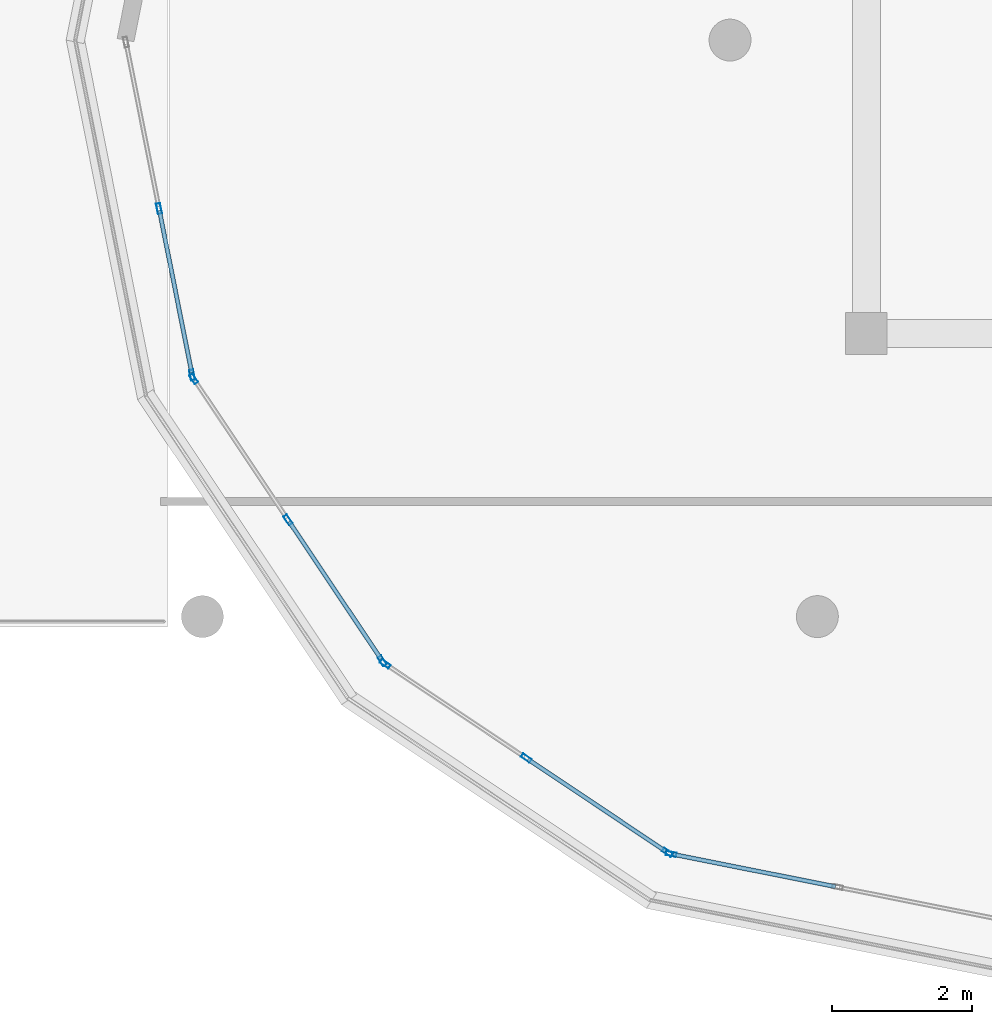
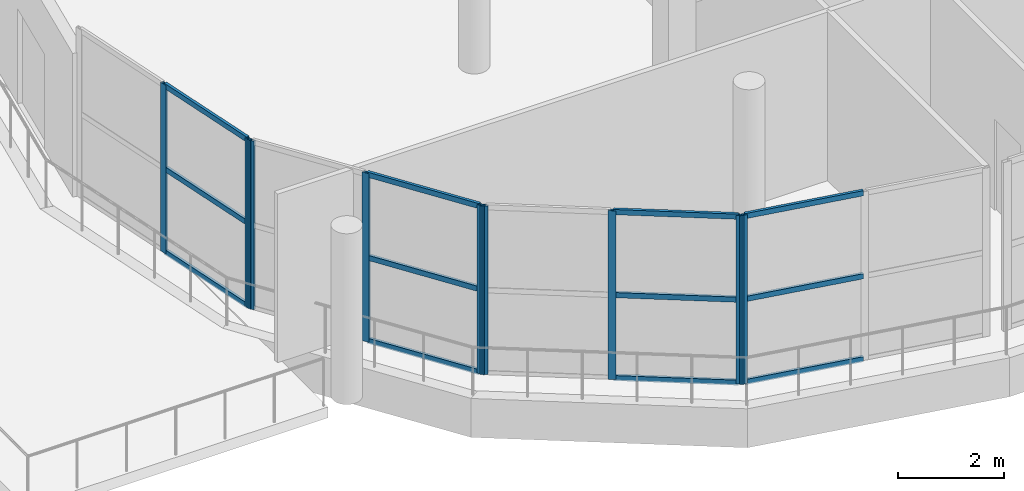
# One storey, part 2 of 50: 21 members, 4 elements without a shape of their own.
"""IFC4 building model written with IfcOpenShell, lengths in metres."""

from ifc_helpers import new_model, si_unit, direction, frame, origin, origin_2d, place, context, subcontext, project, spatial, hollow_rectangle, extrude, material, layer, layer_set, material_profile, profile_set, type_object, element, aggregate, save


model = new_model("IFC4")

# Units and contexts
model_context = context("Model", 3, precision=1e-05, world=origin(), true_north=direction((0.0, 1.0)))
body_context = subcontext(model_context, "Body", "Model", "MODEL_VIEW")
ifc_project = project(units=[si_unit("LENGTHUNIT", "METRE"), si_unit("AREAUNIT", "SQUARE_METRE"), si_unit("VOLUMEUNIT", "CUBIC_METRE"), si_unit("PLANEANGLEUNIT", "RADIAN"), si_unit("MASSUNIT", "GRAM", prefix="KILO")], contexts=[model_context])

# Site, building, storey
site_placement = place(None, origin())
site = spatial("IfcSite", under=ifc_project, at=site_placement, CompositionType="ELEMENT")
building_placement = place(site_placement, origin())
building = spatial("IfcBuilding", under=site, at=building_placement, Name="Zizhar Promenade General Hospital", CompositionType="ELEMENT")
storey_placement = place(building_placement, frame((0.0, 0.0, 30.60009765625)))
storey = spatial("IfcBuildingStorey", under=building, at=storey_placement, Name="L07", CompositionType="ELEMENT", Elevation=30.60009765625)

# Curtain wall, members
ifc_material_1 = material(Name="Anodised aluminium 6063-T6 and low-E glass", Category="aluminium")
ifc_layer = layer(ifc_material_1, 0.159912109375)
ifc_layer_set = layer_set([ifc_layer], Name="Anodised aluminium 6063-T6 and low-E glass")
curtain_wall_type = type_object("IfcCurtainWallType", Name="CW-WARD-ARC", PredefinedType="NOTDEFINED", material=ifc_layer_set)
curtain_wall_1_placement = place(storey_placement, origin())
curtain_wall_1 = element("IfcCurtainWall", 1, at=curtain_wall_1_placement, inside=storey, type_object=curtain_wall_type, Name="Ward Semicircular End Glazing L07-14", PredefinedType="NOTDEFINED")
ifc_material_2 = material(Name="Anodised aluminium 6063-T6", Category="aluminium")
ifc_material_profile_1 = material_profile(ifc_material_2, hollow_rectangle(XDim=0.06005859375, YDim=0.14990234375, WallThickness=0.00390625, at=origin_2d()))
ifc_profile_set_1 = profile_set([ifc_material_profile_1], Name="Anodised aluminium 6063-T6")
member_type_1 = type_object("IfcMemberType", Name="CWM-ALU-150x60", PredefinedType="MULLION", material=ifc_profile_set_1)
member_1_placement = place(storey_placement, frame((29.353271484375, 7.8076171875, 0.0), z_axis=(0.0, 0.0, 1.0), x_axis=(-0.980785889615, -0.195087259275, 0.0)))
member_1 = element("IfcMember", 2, at=member_1_placement, type_object=member_type_1, Name="CW-12 mullion 1", PredefinedType="MULLION", context=body_context, shape_type="SweptSolid", body=[
    extrude(hollow_rectangle(XDim=0.06005859375, YDim=0.14990234375, WallThickness=0.00390625, at=origin_2d()), origin(), (0.0, 0.0, 1.0), 3.89990234375),
])
member_2_placement = place(storey_placement, frame((28.879638671875, 10.189208984375, 0.0), z_axis=(0.0, 0.0, 1.0), x_axis=(-0.980785889615, -0.195087259275, 0.0)))
member_2 = element("IfcMember", 3, at=member_2_placement, type_object=member_type_1, Name="CW-12 mullion 2", PredefinedType="MULLION", context=body_context, shape_type="SweptSolid", body=[
    extrude(hollow_rectangle(XDim=0.06005859375, YDim=0.14990234375, WallThickness=0.00390625, at=origin_2d()), origin(), (0.0, 0.0, 1.0), 3.89990234375),
])

curtain_wall_2_placement = place(storey_placement, origin())
curtain_wall_2 = element("IfcCurtainWall", 4, at=curtain_wall_2_placement, inside=storey, type_object=curtain_wall_type, Name="Ward Semicircular End Glazing L07-15", PredefinedType="NOTDEFINED")
member_3_placement = place(storey_placement, frame((32.07373046875, 3.71533203125, 0.0), z_axis=(0.0, 0.0, 1.0), x_axis=(-0.831461514468, -0.555582352095, 0.0)))
member_3 = element("IfcMember", 5, at=member_3_placement, type_object=member_type_1, Name="CW-12 mullion 1", PredefinedType="MULLION", context=body_context, shape_type="SweptSolid", body=[
    extrude(hollow_rectangle(XDim=0.06005859375, YDim=0.14990234375, WallThickness=0.00390625, at=origin_2d()), origin(), (0.0, 0.0, 1.0), 3.89990234375),
])
member_4_placement = place(storey_placement, frame((30.724853515625, 5.734375, 0.0), z_axis=(0.0, 0.0, 1.0), x_axis=(-0.831461514468, -0.555582352095, 0.0)))
member_4 = element("IfcMember", 6, at=member_4_placement, type_object=member_type_1, Name="CW-12 mullion 2", PredefinedType="MULLION", context=body_context, shape_type="SweptSolid", body=[
    extrude(hollow_rectangle(XDim=0.06005859375, YDim=0.14990234375, WallThickness=0.00390625, at=origin_2d()), origin(), (0.0, 0.0, 1.0), 3.89990234375),
])
member_5_placement = place(storey_placement, frame((29.375732421875, 7.753173828125, 0.0), z_axis=(0.0, 0.0, 1.0), x_axis=(-0.831461514468, -0.555582352095, 0.0)))
member_5 = element("IfcMember", 7, at=member_5_placement, type_object=member_type_1, Name="CW-12 mullion 3", PredefinedType="MULLION", context=body_context, shape_type="SweptSolid", body=[
    extrude(hollow_rectangle(XDim=0.06005859375, YDim=0.14990234375, WallThickness=0.00390625, at=origin_2d()), origin(), (0.0, 0.0, 1.0), 3.89990234375),
])

curtain_wall_3_placement = place(storey_placement, origin())
curtain_wall_3 = element("IfcCurtainWall", 8, at=curtain_wall_3_placement, inside=storey, type_object=curtain_wall_type, Name="Ward Semicircular End Glazing L07-16", PredefinedType="NOTDEFINED")
member_6_placement = place(storey_placement, frame((36.1533203125, 0.975830078125, 0.0), z_axis=(0.0, 0.0, 1.0), x_axis=(-0.555582352095, -0.831461514468, 0.0)))
member_6 = element("IfcMember", 9, at=member_6_placement, type_object=member_type_1, Name="CW-12 mullion 1", PredefinedType="MULLION", context=body_context, shape_type="SweptSolid", body=[
    extrude(hollow_rectangle(XDim=0.06005859375, YDim=0.14990234375, WallThickness=0.00390625, at=origin_2d()), origin(), (0.0, 0.0, 1.0), 3.89990234375),
])
member_7_placement = place(storey_placement, frame((34.13427734375, 2.32470703125, 0.0), z_axis=(0.0, 0.0, 1.0), x_axis=(-0.555582352095, -0.831461514468, 0.0)))
member_7 = element("IfcMember", 10, at=member_7_placement, type_object=member_type_1, Name="CW-12 mullion 2", PredefinedType="MULLION", context=body_context, shape_type="SweptSolid", body=[
    extrude(hollow_rectangle(XDim=0.06005859375, YDim=0.14990234375, WallThickness=0.00390625, at=origin_2d()), origin(), (0.0, 0.0, 1.0), 3.89990234375),
])
member_8_placement = place(storey_placement, frame((32.115478515625, 3.673828125, 0.0), z_axis=(0.0, 0.0, 1.0), x_axis=(-0.555582352095, -0.831461514468, 0.0)))
member_8 = element("IfcMember", 11, at=member_8_placement, type_object=member_type_1, Name="CW-12 mullion 3", PredefinedType="MULLION", context=body_context, shape_type="SweptSolid", body=[
    extrude(hollow_rectangle(XDim=0.06005859375, YDim=0.14990234375, WallThickness=0.00390625, at=origin_2d()), origin(), (0.0, 0.0, 1.0), 3.89990234375),
])

# Curtain wall, member
curtain_wall_4_placement = place(storey_placement, origin())
curtain_wall_4 = element("IfcCurtainWall", 12, at=curtain_wall_4_placement, inside=storey, type_object=curtain_wall_type, Name="Ward Semicircular End Glazing L07-17", PredefinedType="NOTDEFINED")
member_9_placement = place(storey_placement, frame((36.20751953125, 0.953369140625, 0.0), z_axis=(0.0, 0.0, 1.0), x_axis=(-0.195087259275, -0.980785889615, 0.0)))
member_9 = element("IfcMember", 13, at=member_9_placement, type_object=member_type_1, Name="CW-12 mullion 3", PredefinedType="MULLION", context=body_context, shape_type="SweptSolid", body=[
    extrude(hollow_rectangle(XDim=0.06005859375, YDim=0.14990234375, WallThickness=0.00390625, at=origin_2d()), origin(), (0.0, 0.0, 1.0), 3.89990234375),
])

# Member
ifc_material_3 = material(Name="Anodised aluminium 6063-T6", Category="aluminium")
ifc_material_profile_2 = material_profile(ifc_material_3, hollow_rectangle(XDim=0.06005859375, YDim=0.1201171875, WallThickness=0.00390625, at=origin_2d()))
ifc_profile_set_2 = profile_set([ifc_material_profile_2], Name="Anodised aluminium 6063-T6")
member_type_2 = type_object("IfcMemberType", Name="CWT-ALU-120x60", PredefinedType="USERDEFINED", material=ifc_profile_set_2)
member_10_placement = place(storey_placement, frame((29.347412109375, 7.837158203125, 0.02978515625), z_axis=(-0.195065195628, 0.980790278018, 0.0), x_axis=(-0.980790278018, -0.195065195628, 0.0)))
member_10 = element("IfcMember", 14, at=member_10_placement, type_object=member_type_2, Name="CW-12 transom 1.1", ObjectType="TRANSOM", PredefinedType="USERDEFINED", context=body_context, shape_type="SweptSolid", body=[
    extrude(hollow_rectangle(XDim=0.06005859375, YDim=0.1201171875, WallThickness=0.00390625, at=origin_2d()), origin(), (0.0, 0.0, 1.0), 2.367919921875),
])

member_11_placement = place(storey_placement, frame((29.347412109375, 7.837158203125, 1.949951171875), z_axis=(-0.195065195628, 0.980790278018, 0.0), x_axis=(-0.980790278018, -0.195065195628, 0.0)))
member_11 = element("IfcMember", 15, at=member_11_placement, type_object=member_type_2, Name="CW-12 transom 1.2", ObjectType="TRANSOM", PredefinedType="USERDEFINED", context=body_context, shape_type="SweptSolid", body=[
    extrude(hollow_rectangle(XDim=0.06005859375, YDim=0.1201171875, WallThickness=0.00390625, at=origin_2d()), origin(), (0.0, 0.0, 1.0), 2.367919921875),
])

member_12_placement = place(storey_placement, frame((29.347412109375, 7.837158203125, 3.869873046875), z_axis=(-0.195065195628, 0.980790278018, 0.0), x_axis=(-0.980790278018, -0.195065195628, 0.0)))
member_12 = element("IfcMember", 16, at=member_12_placement, type_object=member_type_2, Name="CW-12 transom 1.3", ObjectType="TRANSOM", PredefinedType="USERDEFINED", context=body_context, shape_type="SweptSolid", body=[
    extrude(hollow_rectangle(XDim=0.06005859375, YDim=0.1201171875, WallThickness=0.00390625, at=origin_2d()), origin(), (0.0, 0.0, 1.0), 2.367919921875),
])

aggregate(curtain_wall_1, [member_1, member_2, member_10, member_11, member_12])

member_13_placement = place(storey_placement, frame((32.05712890625, 3.740478515625, 0.02978515625), z_axis=(-0.555580160396, 0.831462978956, 0.0), x_axis=(-0.831462978956, -0.555580160396, 0.0)))
member_13 = element("IfcMember", 17, at=member_13_placement, type_object=member_type_2, Name="CW-12 transom 1.1", ObjectType="TRANSOM", PredefinedType="USERDEFINED", context=body_context, shape_type="SweptSolid", body=[
    extrude(hollow_rectangle(XDim=0.06005859375, YDim=0.1201171875, WallThickness=0.00390625, at=origin_2d()), origin(), (0.0, 0.0, 1.0), 2.3681640625),
])

member_14_placement = place(storey_placement, frame((32.05712890625, 3.740478515625, 1.949951171875), z_axis=(-0.555580160396, 0.831462978956, 0.0), x_axis=(-0.831462978956, -0.555580160396, 0.0)))
member_14 = element("IfcMember", 18, at=member_14_placement, type_object=member_type_2, Name="CW-12 transom 1.2", ObjectType="TRANSOM", PredefinedType="USERDEFINED", context=body_context, shape_type="SweptSolid", body=[
    extrude(hollow_rectangle(XDim=0.06005859375, YDim=0.1201171875, WallThickness=0.00390625, at=origin_2d()), origin(), (0.0, 0.0, 1.0), 2.3681640625),
])

member_15_placement = place(storey_placement, frame((32.05712890625, 3.740478515625, 3.869873046875), z_axis=(-0.555580160396, 0.831462978956, 0.0), x_axis=(-0.831462978956, -0.555580160396, 0.0)))
member_15 = element("IfcMember", 19, at=member_15_placement, type_object=member_type_2, Name="CW-12 transom 1.3", ObjectType="TRANSOM", PredefinedType="USERDEFINED", context=body_context, shape_type="SweptSolid", body=[
    extrude(hollow_rectangle(XDim=0.06005859375, YDim=0.1201171875, WallThickness=0.00390625, at=origin_2d()), origin(), (0.0, 0.0, 1.0), 2.3681640625),
])

aggregate(curtain_wall_2, [member_3, member_4, member_5, member_13, member_14, member_15])

member_16_placement = place(storey_placement, frame((36.12841796875, 0.992431640625, 0.02978515625), z_axis=(-0.831494797197, 0.555532539312, 0.0), x_axis=(-0.555532539312, -0.831494797197, 0.0)))
member_16 = element("IfcMember", 20, at=member_16_placement, type_object=member_type_2, Name="CW-12 transom 1.1", ObjectType="TRANSOM", PredefinedType="USERDEFINED", context=body_context, shape_type="SweptSolid", body=[
    extrude(hollow_rectangle(XDim=0.06005859375, YDim=0.1201171875, WallThickness=0.00390625, at=origin_2d()), origin(), (0.0, 0.0, 1.0), 2.368408203125),
])

member_17_placement = place(storey_placement, frame((36.12841796875, 0.992431640625, 1.949951171875), z_axis=(-0.831494797197, 0.555532539312, 0.0), x_axis=(-0.555532539312, -0.831494797197, 0.0)))
member_17 = element("IfcMember", 21, at=member_17_placement, type_object=member_type_2, Name="CW-12 transom 1.2", ObjectType="TRANSOM", PredefinedType="USERDEFINED", context=body_context, shape_type="SweptSolid", body=[
    extrude(hollow_rectangle(XDim=0.06005859375, YDim=0.1201171875, WallThickness=0.00390625, at=origin_2d()), origin(), (0.0, 0.0, 1.0), 2.368408203125),
])

member_18_placement = place(storey_placement, frame((36.12841796875, 0.992431640625, 3.869873046875), z_axis=(-0.831494797197, 0.555532539312, 0.0), x_axis=(-0.555532539312, -0.831494797197, 0.0)))
member_18 = element("IfcMember", 22, at=member_18_placement, type_object=member_type_2, Name="CW-12 transom 1.3", ObjectType="TRANSOM", PredefinedType="USERDEFINED", context=body_context, shape_type="SweptSolid", body=[
    extrude(hollow_rectangle(XDim=0.06005859375, YDim=0.1201171875, WallThickness=0.00390625, at=origin_2d()), origin(), (0.0, 0.0, 1.0), 2.368408203125),
])

aggregate(curtain_wall_3, [member_6, member_7, member_8, member_16, member_17, member_18])

member_19_placement = place(storey_placement, frame((38.5595703125, 0.4853515625, 0.02978515625), z_axis=(-0.98077054851, 0.195164369634, 0.0), x_axis=(-0.195164369634, -0.98077054851, 0.0)))
member_19 = element("IfcMember", 23, at=member_19_placement, type_object=member_type_2, Name="CW-12 transom 2.1", ObjectType="TRANSOM", PredefinedType="USERDEFINED", context=body_context, shape_type="SweptSolid", body=[
    extrude(hollow_rectangle(XDim=0.06005859375, YDim=0.1201171875, WallThickness=0.00390625, at=origin_2d()), origin(), (0.0, 0.0, 1.0), 2.3681640625),
])

member_20_placement = place(storey_placement, frame((38.5595703125, 0.4853515625, 1.949951171875), z_axis=(-0.98077054851, 0.195164369634, 0.0), x_axis=(-0.195164369634, -0.98077054851, 0.0)))
member_20 = element("IfcMember", 24, at=member_20_placement, type_object=member_type_2, Name="CW-12 transom 2.2", ObjectType="TRANSOM", PredefinedType="USERDEFINED", context=body_context, shape_type="SweptSolid", body=[
    extrude(hollow_rectangle(XDim=0.06005859375, YDim=0.1201171875, WallThickness=0.00390625, at=origin_2d()), origin(), (0.0, 0.0, 1.0), 2.3681640625),
])

member_21_placement = place(storey_placement, frame((38.5595703125, 0.4853515625, 3.869873046875), z_axis=(-0.98077054851, 0.195164369634, 0.0), x_axis=(-0.195164369634, -0.98077054851, 0.0)))
member_21 = element("IfcMember", 25, at=member_21_placement, type_object=member_type_2, Name="CW-12 transom 2.3", ObjectType="TRANSOM", PredefinedType="USERDEFINED", context=body_context, shape_type="SweptSolid", body=[
    extrude(hollow_rectangle(XDim=0.06005859375, YDim=0.1201171875, WallThickness=0.00390625, at=origin_2d()), origin(), (0.0, 0.0, 1.0), 2.3681640625),
])

aggregate(curtain_wall_4, [member_9, member_19, member_20, member_21])

save(model, "model.ifc")
